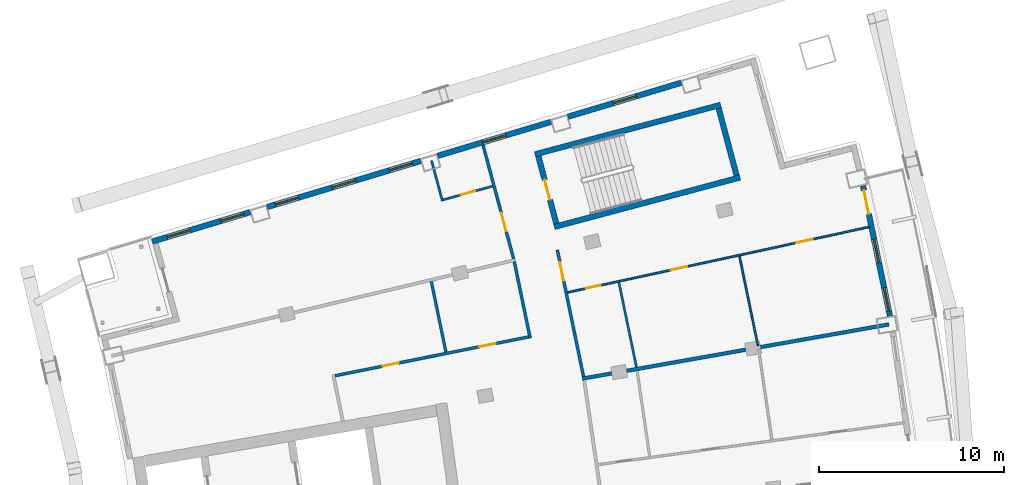
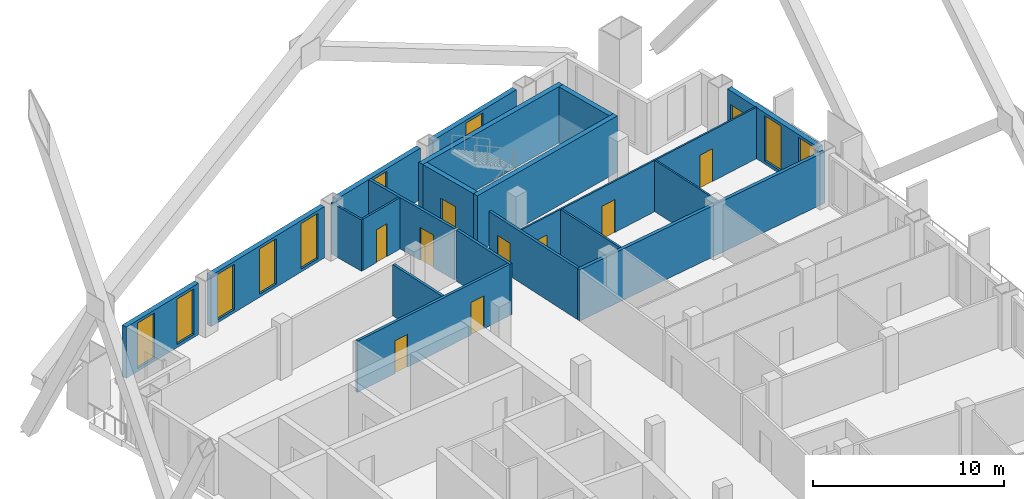
# One storey, part 15 of 20: 20 walls, 10 doors, 9 windows, 19 openings.
"""IFC4 building model written with IfcOpenShell, lengths in metres."""

from ifc_helpers import new_model, si_unit, direction, frame, frame_2d, origin, place, context, subcontext, project, spatial, rectangle, extrude, material, layer, layer_set, type_object, element, fill, save


model = new_model("IFC4")

# Units and contexts
model_context = context("Model", 3, precision=1e-05, world=origin(), true_north=direction((0.0, 1.0)))
body_context = subcontext(model_context, "Body", "Model", "MODEL_VIEW")
ifc_project = project(units=[si_unit("LENGTHUNIT", "METRE"), si_unit("AREAUNIT", "SQUARE_METRE"), si_unit("VOLUMEUNIT", "CUBIC_METRE"), si_unit("PLANEANGLEUNIT", "RADIAN"), si_unit("MASSUNIT", "GRAM", prefix="KILO")], contexts=[model_context])

# Site, building, storey
site_placement = place(None, origin())
site = spatial("IfcSite", under=ifc_project, at=site_placement, CompositionType="ELEMENT")
building_placement = place(site_placement, origin())
building = spatial("IfcBuilding", under=site, at=building_placement, Name="Alderwake Tower", CompositionType="ELEMENT")
storey_placement = place(building_placement, frame((0.0, 0.0, 210.800048828125)))
storey = spatial("IfcBuildingStorey", under=building, at=storey_placement, Name="L52", CompositionType="ELEMENT", Elevation=210.800048828125)

# Walls
ifc_material_1 = material(Name="Concrete C70/85", Category="concrete")
ifc_layer_1 = layer(ifc_material_1, 0.300048828125)
ifc_layer_set_1 = layer_set([ifc_layer_1], Name="Core wall stair enclosure 300 C70-85")
wall_type_1 = type_object("IfcWallType", Name="Core wall stair enclosure 300 C70-85", PredefinedType="SHEAR", material=ifc_layer_set_1)
for number, where, z_axis, x_axis, name in (
    (1, (36.71142578125, 94.182373046875, 0.0), (0.0, 0.0, 1.0), (0.966309214305, 0.257383958996, 0.0), "Core wall CW.082"),
    (2, (37.75390625, 90.268798828125, 0.0), (0.0, 0.0, 1.0), (0.966309214305, 0.257383958996, 0.0), "Core wall CW.084"),
):
    element("IfcWall", number, at=place(storey_placement, frame(where, z_axis=z_axis, x_axis=x_axis)), inside=storey, type_object=wall_type_1, Name=name, PredefinedType="SHEAR", context=body_context, shape_type="SweptSolid", body=[
        extrude(rectangle(XDim=10.360107421875, YDim=0.300048828125, at=frame_2d((5.18017578125, 0.0))), origin(), (0.0, 0.0, 1.0), 3.599853515625),
    ])

# Wall, opening, door
wall_1_placement = place(storey_placement, frame((37.8603515625, 90.452392578125, 0.0), z_axis=(0.0, 0.0, 1.0), x_axis=(-0.257411420208, 0.966301899381, 0.0)))
wall_1 = element("IfcWall", 3, at=wall_1_placement, inside=storey, type_object=wall_type_1, Name="Core wall CW.083", PredefinedType="SHEAR", context=body_context, shape_type="SweptSolid", body=[
    extrude(rectangle(XDim=3.750244140625, YDim=0.300048828125, at=frame_2d((1.875, 0.0))), origin(), (0.0, 0.0, 1.0), 3.599853515625),
])
opening_1_placement = place(wall_1_placement, frame((1.324951171875, 0.0, 0.0)))
opening_1 = element("IfcOpeningElement", 4, at=opening_1_placement, cuts=wall_1, Name="Opening C062", PredefinedType="OPENING", context=body_context, shape_type="SweptSolid", body=[
    extrude(rectangle(XDim=1.10009765625, YDim=2.10009765625, at=frame_2d((0.550048828125, 1.050048828125))), frame((0.0, 0.159912109375, 0.0), z_axis=(0.0, -1.0, 0.0), x_axis=(1.0, 0.0, 0.0)), (0.0, 0.0, 1.0), 0.320068359375),
])
ifc_material_2 = material(Name="Steel-framed fire door leaf", Category="steel")
door_type_1 = type_object("IfcDoorType", Name="Core stair door 1100 fire-rated", OperationType="SINGLE_SWING_LEFT", PredefinedType="DOOR", material=ifc_material_2)
door_1_placement = place(opening_1_placement, origin())
door_1 = element("IfcDoor", 5, at=door_1_placement, inside=storey, type_object=door_type_1, Name="Stair door", OperationType="SINGLE_SWING_RIGHT", OverallHeight=2.10009765625, OverallWidth=1.10009765625, PredefinedType="DOOR", context=body_context, shape_type="SweptSolid", body=[
    extrude(rectangle(XDim=1.10009765625, YDim=2.10009765625, at=frame_2d((0.550048828125, 1.050048828125))), frame((0.0, 0.02490234375, 0.0), z_axis=(0.0, -1.0, 0.0), x_axis=(1.0, 0.0, 0.0)), (0.0, 0.0, 1.0), 0.050048828125),
])
fill(opening_1, door_1)

# Wall
wall_2_placement = place(storey_placement, frame((47.581298828125, 93.041748046875, 0.0), z_axis=(0.0, 0.0, 1.0), x_axis=(-0.257366821694, 0.966313778796, 0.0)))
element("IfcWall", 6, at=wall_2_placement, inside=storey, type_object=wall_type_1, Name="Core wall CW.081", PredefinedType="SHEAR", context=body_context, shape_type="SweptSolid", body=[
    extrude(rectangle(XDim=3.749755859375, YDim=0.300048828125, at=frame_2d((1.875, 0.0))), origin(), (0.0, 0.0, 1.0), 3.599853515625),
])

# Wall, opening, door
ifc_material_3 = material(Name="Gypsum board on metal studs, rated")
ifc_layer_2 = layer(ifc_material_3, 0.159912109375)
ifc_layer_set_2 = layer_set([ifc_layer_2], Name="Corridor wall 160")
wall_type_2 = type_object("IfcWallType", Name="Corridor wall 160", PredefinedType="PARTITIONING", material=ifc_layer_set_2)
wall_3_placement = place(storey_placement, frame((35.55908203125, 88.54736328125, 0.0), z_axis=(0.0, 0.0, 1.0), x_axis=(-0.259486497004, 0.965746735885, 0.0)))
wall_3 = element("IfcWall", 7, at=wall_3_placement, inside=storey, type_object=wall_type_2, Name="WL/L52/W13", PredefinedType="PARTITIONING", context=body_context, shape_type="SweptSolid", body=[
    extrude(rectangle(XDim=6.346923828125, YDim=0.159912109375, at=frame_2d((3.17333984375, 0.0))), origin(), (0.0, 0.0, 1.0), 3.280029296875),
])
opening_2_placement = place(wall_3_placement, frame((1.5380859375, 0.0, 0.0)))
opening_2 = element("IfcOpeningElement", 8, at=opening_2_placement, cuts=wall_3, Name="Opening R15-U09.1", PredefinedType="OPENING", context=body_context, shape_type="SweptSolid", body=[
    extrude(rectangle(XDim=1.0, YDim=2.10009765625, at=frame_2d((0.5, 1.050048828125))), frame((0.0, 0.08984375, 0.0), z_axis=(0.0, -1.0, 0.0), x_axis=(1.0, 0.0, 0.0)), (0.0, 0.0, 1.0), 0.179931640625),
])
ifc_material_4 = material(Name="Solid timber leaf in steel frame", Category="steel")
door_type_2 = type_object("IfcDoorType", Name="Flat entrance door 1000 fire-rated", OperationType="SINGLE_SWING_LEFT", PredefinedType="DOOR", material=ifc_material_4)
door_2_placement = place(opening_2_placement, origin())
door_2 = element("IfcDoor", 9, at=door_2_placement, inside=storey, type_object=door_type_2, Name="DR/L52/U09.1", OperationType="SINGLE_SWING_LEFT", OverallHeight=2.10009765625, OverallWidth=1.0, PredefinedType="DOOR", context=body_context, shape_type="SweptSolid", body=[
    extrude(rectangle(XDim=1.0, YDim=2.10009765625, at=frame_2d((0.5, 1.050048828125))), frame((0.0, 0.02490234375, 0.0), z_axis=(0.0, -1.0, 0.0), x_axis=(1.0, 0.0, 0.0)), (0.0, 0.0, 1.0), 0.050048828125),
])
fill(opening_2, door_2)

# Wall
wall_4_placement = place(storey_placement, frame((35.59619140625, 88.3916015625, 0.0), z_axis=(0.0, 0.0, 1.0), x_axis=(0.20329833965, -0.979116839348, 0.0)))
element("IfcWall", 10, at=wall_4_placement, inside=storey, type_object=wall_type_2, Name="WL/L52/W15", PredefinedType="PARTITIONING", context=body_context, shape_type="SweptSolid", body=[
    extrude(rectangle(XDim=4.206787109375, YDim=0.159912109375, at=frame_2d((2.103515625, 0.0))), origin(), (0.0, 0.0, 1.0), 3.280029296875),
])

# Wall, openings, doors
wall_5_placement = place(storey_placement, frame((25.926513671875, 82.24267578125, 0.0), z_axis=(0.0, 0.0, 1.0), x_axis=(0.98046310274, 0.196703086316, 0.0)))
wall_5 = element("IfcWall", 11, at=wall_5_placement, inside=storey, type_object=wall_type_2, Name="WL/L52/W17", PredefinedType="PARTITIONING", context=body_context, shape_type="SweptSolid", body=[
    extrude(rectangle(XDim=10.637939453125, YDim=0.159912109375, at=frame_2d((5.31884765625, 0.0))), origin(), (0.0, 0.0, 1.0), 3.280029296875),
])
opening_3_placement = place(wall_5_placement, frame((2.609130859375, 0.0, 0.0)))
opening_3 = element("IfcOpeningElement", 12, at=opening_3_placement, cuts=wall_5, Name="Opening R15-SBN1", PredefinedType="OPENING", context=body_context, shape_type="SweptSolid", body=[
    extrude(rectangle(XDim=0.89990234375, YDim=2.10009765625, at=frame_2d((0.449951171875, 1.050048828125))), frame((0.0, 0.08984375, 0.0), z_axis=(0.0, -1.0, 0.0), x_axis=(1.0, 0.0, 0.0)), (0.0, 0.0, 1.0), 0.179931640625),
])
opening_4_placement = place(wall_5_placement, frame((7.927978515625, 0.0, 0.0)))
opening_4 = element("IfcOpeningElement", 13, at=opening_4_placement, cuts=wall_5, Name="Opening R15-SBN2", PredefinedType="OPENING", context=body_context, shape_type="SweptSolid", body=[
    extrude(rectangle(XDim=0.89990234375, YDim=2.10009765625, at=frame_2d((0.449951171875, 1.050048828125))), frame((0.0, 0.08984375, 0.0), z_axis=(0.0, -1.0, 0.0), x_axis=(1.0, 0.0, 0.0)), (0.0, 0.0, 1.0), 0.179931640625),
])
ifc_material_5 = material(Name="Painted timber leaf", Category="wood")
door_type_3 = type_object("IfcDoorType", Name="Room door 900", OperationType="SINGLE_SWING_LEFT", PredefinedType="DOOR", material=ifc_material_5)
door_3_placement = place(opening_3_placement, origin())
door_3 = element("IfcDoor", 14, at=door_3_placement, inside=storey, type_object=door_type_3, Name="DR/L52/SBN1", OperationType="SINGLE_SWING_LEFT", OverallHeight=2.10009765625, OverallWidth=0.89990234375, PredefinedType="DOOR", context=body_context, shape_type="SweptSolid", body=[
    extrude(rectangle(XDim=0.89990234375, YDim=2.10009765625, at=frame_2d((0.449951171875, 1.050048828125))), frame((0.0, 0.02490234375, 0.0), z_axis=(0.0, -1.0, 0.0), x_axis=(1.0, 0.0, 0.0)), (0.0, 0.0, 1.0), 0.050048828125),
])
fill(opening_3, door_3)
door_4_placement = place(opening_4_placement, origin())
door_4 = element("IfcDoor", 15, at=door_4_placement, inside=storey, type_object=door_type_3, Name="DR/L52/SBN2", OperationType="SINGLE_SWING_LEFT", OverallHeight=2.10009765625, OverallWidth=0.89990234375, PredefinedType="DOOR", context=body_context, shape_type="SweptSolid", body=[
    extrude(rectangle(XDim=0.89990234375, YDim=2.10009765625, at=frame_2d((0.449951171875, 1.050048828125))), frame((0.0, 0.02490234375, 0.0), z_axis=(0.0, -1.0, 0.0), x_axis=(1.0, 0.0, 0.0)), (0.0, 0.0, 1.0), 0.050048828125),
])
fill(opening_4, door_4)

# Wall, opening, door
wall_6_placement = place(storey_placement, frame((37.9169921875, 89.02490234375, 0.0), z_axis=(0.0, 0.0, 1.0), x_axis=(0.202416809878, -0.97929946139, 0.0)))
wall_6 = element("IfcWall", 16, at=wall_6_placement, inside=storey, type_object=wall_type_2, Name="WL/L52/W20", PredefinedType="PARTITIONING", context=body_context, shape_type="SweptSolid", body=[
    extrude(rectangle(XDim=6.97021484375, YDim=0.159912109375, at=frame_2d((3.485107421875, 0.0))), origin(), (0.0, 0.0, 1.0), 3.280029296875),
])
opening_5_placement = place(wall_6_placement, frame((0.6787109375, 0.0, 0.0)))
opening_5 = element("IfcOpeningElement", 17, at=opening_5_placement, cuts=wall_6, Name="Opening R15-U07.2", PredefinedType="OPENING", context=body_context, shape_type="SweptSolid", body=[
    extrude(rectangle(XDim=1.0, YDim=2.10009765625, at=frame_2d((0.5, 1.050048828125))), frame((0.0, 0.08984375, 0.0), z_axis=(0.0, -1.0, 0.0), x_axis=(1.0, 0.0, 0.0)), (0.0, 0.0, 1.0), 0.179931640625),
])
door_5_placement = place(opening_5_placement, origin())
door_5 = element("IfcDoor", 18, at=door_5_placement, inside=storey, type_object=door_type_2, Name="DR/L52/U07.2", OperationType="SINGLE_SWING_LEFT", OverallHeight=2.10009765625, OverallWidth=1.0, PredefinedType="DOOR", context=body_context, shape_type="SweptSolid", body=[
    extrude(rectangle(XDim=1.0, YDim=2.10009765625, at=frame_2d((0.5, 1.050048828125))), frame((0.0, 0.02490234375, 0.0), z_axis=(0.0, -1.0, 0.0), x_axis=(1.0, 0.0, 0.0)), (0.0, 0.0, 1.0), 0.050048828125),
])
fill(opening_5, door_5)

# Wall, openings, door, windows
ifc_material_6 = material(Name="Precast concrete C50/60 spandrel panel", Category="concrete")
ifc_layer_3 = layer(ifc_material_6, 0.300048828125)
ifc_layer_set_3 = layer_set([ifc_layer_3], Name="External wall EW1 Precast concrete C50/60 spandrel")
wall_type_3 = type_object("IfcWallType", Name="External wall EW1 Precast concrete C50/60 spandrel", PredefinedType="SOLIDWALL", material=ifc_layer_set_3)
wall_7_placement = place(storey_placement, frame((55.8505859375, 85.4736328125, 0.0), z_axis=(0.0, 0.0, 1.0), x_axis=(-0.202724039507, 0.979235908148, 0.0)))
wall_7 = element("IfcWall", 19, at=wall_7_placement, inside=storey, type_object=wall_type_3, Name="External wall 19", PredefinedType="SOLIDWALL", context=body_context, shape_type="SweptSolid", body=[
    extrude(rectangle(XDim=7.1572265625, YDim=0.300048828125, at=frame_2d((3.57861328125, 0.0))), origin(), (0.0, 0.0, 1.0), 3.280029296875),
])
opening_6_placement = place(wall_7_placement, frame((0.24951171875, 0.0, 0.199951171875)))
opening_6 = element("IfcOpeningElement", 20, at=opening_6_placement, cuts=wall_7, Name="Opening W1", PredefinedType="OPENING", context=body_context, shape_type="SweptSolid", body=[
    extrude(rectangle(XDim=1.300048828125, YDim=2.89990234375, at=frame_2d((0.64990234375, 1.449951171875))), frame((0.0, 0.159912109375, 0.0), z_axis=(0.0, -1.0, 0.0), x_axis=(1.0, 0.0, 0.0)), (0.0, 0.0, 1.0), 0.320068359375),
])
opening_7_placement = place(wall_7_placement, frame((2.928466796875, 0.0, 0.199951171875)))
opening_7 = element("IfcOpeningElement", 21, at=opening_7_placement, cuts=wall_7, Name="Opening W1", PredefinedType="OPENING", context=body_context, shape_type="SweptSolid", body=[
    extrude(rectangle(XDim=1.300048828125, YDim=2.89990234375, at=frame_2d((0.64990234375, 1.449951171875))), frame((0.0, 0.159912109375, 0.0), z_axis=(0.0, -1.0, 0.0), x_axis=(1.0, 0.0, 0.0)), (0.0, 0.0, 1.0), 0.320068359375),
])
opening_8_placement = place(wall_7_placement, frame((5.607666015625, 0.0, 0.0)))
opening_8 = element("IfcOpeningElement", 22, at=opening_8_placement, cuts=wall_7, Name="Opening D08", PredefinedType="OPENING", context=body_context, shape_type="SweptSolid", body=[
    extrude(rectangle(XDim=1.300048828125, YDim=2.39990234375, at=frame_2d((0.64990234375, 1.199951171875))), frame((0.0, 0.159912109375, 0.0), z_axis=(0.0, -1.0, 0.0), x_axis=(1.0, 0.0, 0.0)), (0.0, 0.0, 1.0), 0.320068359375),
])
ifc_material_7 = material(Name="Bronze tinted glass in aluminium frame", Category="aluminium")
door_type_4 = type_object("IfcDoorType", Name="Balcony door BD sliding", OperationType="SLIDING_TO_LEFT", PredefinedType="DOOR", material=ifc_material_7)
door_6_placement = place(opening_8_placement, origin())
door_6 = element("IfcDoor", 23, at=door_6_placement, inside=storey, type_object=door_type_4, Name="Door D08", OperationType="SLIDING_TO_LEFT", OverallHeight=2.39990234375, OverallWidth=1.300048828125, PredefinedType="DOOR", context=body_context, shape_type="SweptSolid", body=[
    extrude(rectangle(XDim=1.300048828125, YDim=2.39990234375, at=frame_2d((0.64990234375, 1.199951171875))), frame((0.0, 0.02490234375, 0.0), z_axis=(0.0, -1.0, 0.0), x_axis=(1.0, 0.0, 0.0)), (0.0, 0.0, 1.0), 0.050048828125),
])
fill(opening_8, door_6)
ifc_material_8 = material(Name="Bronze tinted glass in aluminium frame", Category="aluminium")
window_type = type_object("IfcWindowType", Name="Window W1 tall fixed and vent", PartitioningType="DOUBLE_PANEL_VERTICAL", PredefinedType="WINDOW", material=ifc_material_8)
window_1_placement = place(opening_6_placement, origin())
window_1 = element("IfcWindow", 24, at=window_1_placement, inside=storey, type_object=window_type, Name="Window W1 tall fixed and vent", OverallHeight=2.89990234375, OverallWidth=1.300048828125, PartitioningType="DOUBLE_PANEL_VERTICAL", PredefinedType="WINDOW", context=body_context, shape_type="SweptSolid", body=[
    extrude(rectangle(XDim=1.300048828125, YDim=2.89990234375, at=frame_2d((0.64990234375, 1.449951171875))), frame((0.0, 0.030029296875, 0.0), z_axis=(0.0, -1.0, 0.0), x_axis=(1.0, 0.0, 0.0)), (0.0, 0.0, 1.0), 0.06005859375),
])
fill(opening_6, window_1)
window_2_placement = place(opening_7_placement, origin())
window_2 = element("IfcWindow", 25, at=window_2_placement, inside=storey, type_object=window_type, Name="Window W1 tall fixed and vent", OverallHeight=2.89990234375, OverallWidth=1.300048828125, PartitioningType="DOUBLE_PANEL_VERTICAL", PredefinedType="WINDOW", context=body_context, shape_type="SweptSolid", body=[
    extrude(rectangle(XDim=1.300048828125, YDim=2.89990234375, at=frame_2d((0.64990234375, 1.449951171875))), frame((0.0, 0.030029296875, 0.0), z_axis=(0.0, -1.0, 0.0), x_axis=(1.0, 0.0, 0.0)), (0.0, 0.0, 1.0), 0.06005859375),
])
fill(opening_7, window_2)

# Wall, opening, window
ifc_material_9 = material(Name="Bronze metal cladding on lightweight framing")
ifc_layer_4 = layer(ifc_material_9, 0.300048828125)
ifc_layer_set_4 = layer_set([ifc_layer_4], Name="External wall EW2 bronze metal cladding")
wall_type_4 = type_object("IfcWallType", Name="External wall EW2 bronze metal cladding", PredefinedType="SOLIDWALL", material=ifc_layer_set_4)
wall_8_placement = place(storey_placement, frame((44.599365234375, 98.042724609375, 0.0), z_axis=(0.0, 0.0, 1.0), x_axis=(-0.957770447312, -0.287533946266, 0.0)))
wall_8 = element("IfcWall", 26, at=wall_8_placement, inside=storey, type_object=wall_type_4, Name="External wall 24", PredefinedType="SOLIDWALL", context=body_context, shape_type="SweptSolid", body=[
    extrude(rectangle(XDim=6.380126953125, YDim=0.300048828125, at=frame_2d((3.18994140625, 0.0))), origin(), (0.0, 0.0, 1.0), 3.280029296875),
])
opening_9_placement = place(wall_8_placement, frame((2.5400390625, 0.0, 0.199951171875)))
opening_9 = element("IfcOpeningElement", 27, at=opening_9_placement, cuts=wall_8, Name="Opening W1", PredefinedType="OPENING", context=body_context, shape_type="SweptSolid", body=[
    extrude(rectangle(XDim=1.300048828125, YDim=2.89990234375, at=frame_2d((0.64990234375, 1.449951171875))), frame((0.0, 0.159912109375, 0.0), z_axis=(0.0, -1.0, 0.0), x_axis=(1.0, 0.0, 0.0)), (0.0, 0.0, 1.0), 0.320068359375),
])
window_3_placement = place(opening_9_placement, origin())
window_3 = element("IfcWindow", 28, at=window_3_placement, inside=storey, type_object=window_type, Name="Window W1 tall fixed and vent", OverallHeight=2.89990234375, OverallWidth=1.300048828125, PartitioningType="DOUBLE_PANEL_VERTICAL", PredefinedType="WINDOW", context=body_context, shape_type="SweptSolid", body=[
    extrude(rectangle(XDim=1.300048828125, YDim=2.89990234375, at=frame_2d((0.64990234375, 1.449951171875))), frame((0.0, 0.030029296875, 0.0), z_axis=(0.0, -1.0, 0.0), x_axis=(1.0, 0.0, 0.0)), (0.0, 0.0, 1.0), 0.06005859375),
])
fill(opening_9, window_3)

wall_9_placement = place(storey_placement, frame((37.575439453125, 95.93408203125, 0.0), z_axis=(0.0, 0.0, 1.0), x_axis=(-0.957767283432, -0.287544484885, 0.0)))
wall_9 = element("IfcWall", 29, at=wall_9_placement, inside=storey, type_object=wall_type_4, Name="External wall 25", PredefinedType="SOLIDWALL", context=body_context, shape_type="SweptSolid", body=[
    extrude(rectangle(XDim=6.3798828125, YDim=0.300048828125, at=frame_2d((3.18994140625, 0.0))), origin(), (0.0, 0.0, 1.0), 3.280029296875),
])
opening_10_placement = place(wall_9_placement, frame((2.539794921875, 0.0, 0.199951171875)))
opening_10 = element("IfcOpeningElement", 30, at=opening_10_placement, cuts=wall_9, Name="Opening W1", PredefinedType="OPENING", context=body_context, shape_type="SweptSolid", body=[
    extrude(rectangle(XDim=1.300048828125, YDim=2.89990234375, at=frame_2d((0.64990234375, 1.449951171875))), frame((0.0, 0.159912109375, 0.0), z_axis=(0.0, -1.0, 0.0), x_axis=(1.0, 0.0, 0.0)), (0.0, 0.0, 1.0), 0.320068359375),
])
window_4_placement = place(opening_10_placement, origin())
window_4 = element("IfcWindow", 31, at=window_4_placement, inside=storey, type_object=window_type, Name="Window W1 tall fixed and vent", OverallHeight=2.89990234375, OverallWidth=1.300048828125, PartitioningType="DOUBLE_PANEL_VERTICAL", PredefinedType="WINDOW", context=body_context, shape_type="SweptSolid", body=[
    extrude(rectangle(XDim=1.300048828125, YDim=2.89990234375, at=frame_2d((0.64990234375, 1.449951171875))), frame((0.0, 0.030029296875, 0.0), z_axis=(0.0, -1.0, 0.0), x_axis=(1.0, 0.0, 0.0)), (0.0, 0.0, 1.0), 0.06005859375),
])
fill(opening_10, window_4)

# Wall, openings, windows
wall_10_placement = place(storey_placement, frame((30.551513671875, 93.8251953125, 0.0), z_axis=(0.0, 0.0, 1.0), x_axis=(-0.957767198916, -0.287544766394, 0.0)))
wall_10 = element("IfcWall", 32, at=wall_10_placement, inside=storey, type_object=wall_type_4, Name="External wall 26", PredefinedType="SOLIDWALL", context=body_context, shape_type="SweptSolid", body=[
    extrude(rectangle(XDim=8.64599609375, YDim=0.300048828125, at=frame_2d((4.322998046875, 0.0))), origin(), (0.0, 0.0, 1.0), 3.280029296875),
])
opening_11_placement = place(wall_10_placement, frame((0.47314453125, 0.0, 0.199951171875)))
opening_11 = element("IfcOpeningElement", 33, at=opening_11_placement, cuts=wall_10, Name="Opening W1", PredefinedType="OPENING", context=body_context, shape_type="SweptSolid", body=[
    extrude(rectangle(XDim=1.300048828125, YDim=2.89990234375, at=frame_2d((0.64990234375, 1.449951171875))), frame((0.0, 0.159912109375, 0.0), z_axis=(0.0, -1.0, 0.0), x_axis=(1.0, 0.0, 0.0)), (0.0, 0.0, 1.0), 0.320068359375),
])
opening_12_placement = place(wall_10_placement, frame((3.673095703125, 0.0, 0.199951171875)))
opening_12 = element("IfcOpeningElement", 34, at=opening_12_placement, cuts=wall_10, Name="Opening W1", PredefinedType="OPENING", context=body_context, shape_type="SweptSolid", body=[
    extrude(rectangle(XDim=1.300048828125, YDim=2.89990234375, at=frame_2d((0.64990234375, 1.449951171875))), frame((0.0, 0.159912109375, 0.0), z_axis=(0.0, -1.0, 0.0), x_axis=(1.0, 0.0, 0.0)), (0.0, 0.0, 1.0), 0.320068359375),
])
opening_13_placement = place(wall_10_placement, frame((6.873291015625, 0.0, 0.199951171875)))
opening_13 = element("IfcOpeningElement", 35, at=opening_13_placement, cuts=wall_10, Name="Opening W1", PredefinedType="OPENING", context=body_context, shape_type="SweptSolid", body=[
    extrude(rectangle(XDim=1.300048828125, YDim=2.89990234375, at=frame_2d((0.64990234375, 1.449951171875))), frame((0.0, 0.159912109375, 0.0), z_axis=(0.0, -1.0, 0.0), x_axis=(1.0, 0.0, 0.0)), (0.0, 0.0, 1.0), 0.320068359375),
])
window_5_placement = place(opening_11_placement, origin())
window_5 = element("IfcWindow", 36, at=window_5_placement, inside=storey, type_object=window_type, Name="Window W1 tall fixed and vent", OverallHeight=2.89990234375, OverallWidth=1.300048828125, PartitioningType="DOUBLE_PANEL_VERTICAL", PredefinedType="WINDOW", context=body_context, shape_type="SweptSolid", body=[
    extrude(rectangle(XDim=1.300048828125, YDim=2.89990234375, at=frame_2d((0.64990234375, 1.449951171875))), frame((0.0, 0.030029296875, 0.0), z_axis=(0.0, -1.0, 0.0), x_axis=(1.0, 0.0, 0.0)), (0.0, 0.0, 1.0), 0.06005859375),
])
fill(opening_11, window_5)
window_6_placement = place(opening_12_placement, origin())
window_6 = element("IfcWindow", 37, at=window_6_placement, inside=storey, type_object=window_type, Name="Window W1 tall fixed and vent", OverallHeight=2.89990234375, OverallWidth=1.300048828125, PartitioningType="DOUBLE_PANEL_VERTICAL", PredefinedType="WINDOW", context=body_context, shape_type="SweptSolid", body=[
    extrude(rectangle(XDim=1.300048828125, YDim=2.89990234375, at=frame_2d((0.64990234375, 1.449951171875))), frame((0.0, 0.030029296875, 0.0), z_axis=(0.0, -1.0, 0.0), x_axis=(1.0, 0.0, 0.0)), (0.0, 0.0, 1.0), 0.06005859375),
])
fill(opening_12, window_6)
window_7_placement = place(opening_13_placement, origin())
window_7 = element("IfcWindow", 38, at=window_7_placement, inside=storey, type_object=window_type, Name="Window W1 tall fixed and vent", OverallHeight=2.89990234375, OverallWidth=1.300048828125, PartitioningType="DOUBLE_PANEL_VERTICAL", PredefinedType="WINDOW", context=body_context, shape_type="SweptSolid", body=[
    extrude(rectangle(XDim=1.300048828125, YDim=2.89990234375, at=frame_2d((0.64990234375, 1.449951171875))), frame((0.0, 0.030029296875, 0.0), z_axis=(0.0, -1.0, 0.0), x_axis=(1.0, 0.0, 0.0)), (0.0, 0.0, 1.0), 0.06005859375),
])
fill(opening_13, window_7)

wall_11_placement = place(storey_placement, frame((21.356689453125, 91.064697265625, 0.0), z_axis=(0.0, 0.0, 1.0), x_axis=(-0.957772749247, -0.287526278451, 0.0)))
wall_11 = element("IfcWall", 39, at=wall_11_placement, inside=storey, type_object=wall_type_4, Name="External wall 27", PredefinedType="SOLIDWALL", context=body_context, shape_type="SweptSolid", body=[
    extrude(rectangle(XDim=5.524169921875, YDim=0.300048828125, at=frame_2d((2.76220703125, 0.0))), origin(), (0.0, 0.0, 1.0), 3.280029296875),
])
opening_14_placement = place(wall_11_placement, frame((0.373291015625, 0.0, 0.199951171875)))
opening_14 = element("IfcOpeningElement", 40, at=opening_14_placement, cuts=wall_11, Name="Opening W1", PredefinedType="OPENING", context=body_context, shape_type="SweptSolid", body=[
    extrude(rectangle(XDim=1.300048828125, YDim=2.89990234375, at=frame_2d((0.64990234375, 1.449951171875))), frame((0.0, 0.159912109375, 0.0), z_axis=(0.0, -1.0, 0.0), x_axis=(1.0, 0.0, 0.0)), (0.0, 0.0, 1.0), 0.320068359375),
])
opening_15_placement = place(wall_11_placement, frame((3.3740234375, 0.0, 0.199951171875)))
opening_15 = element("IfcOpeningElement", 41, at=opening_15_placement, cuts=wall_11, Name="Opening W1", PredefinedType="OPENING", context=body_context, shape_type="SweptSolid", body=[
    extrude(rectangle(XDim=1.300048828125, YDim=2.89990234375, at=frame_2d((0.64990234375, 1.449951171875))), frame((0.0, 0.159912109375, 0.0), z_axis=(0.0, -1.0, 0.0), x_axis=(1.0, 0.0, 0.0)), (0.0, 0.0, 1.0), 0.320068359375),
])
window_8_placement = place(opening_14_placement, origin())
window_8 = element("IfcWindow", 42, at=window_8_placement, inside=storey, type_object=window_type, Name="Window W1 tall fixed and vent", OverallHeight=2.89990234375, OverallWidth=1.300048828125, PartitioningType="DOUBLE_PANEL_VERTICAL", PredefinedType="WINDOW", context=body_context, shape_type="SweptSolid", body=[
    extrude(rectangle(XDim=1.300048828125, YDim=2.89990234375, at=frame_2d((0.64990234375, 1.449951171875))), frame((0.0, 0.030029296875, 0.0), z_axis=(0.0, -1.0, 0.0), x_axis=(1.0, 0.0, 0.0)), (0.0, 0.0, 1.0), 0.06005859375),
])
fill(opening_14, window_8)
window_9_placement = place(opening_15_placement, origin())
window_9 = element("IfcWindow", 43, at=window_9_placement, inside=storey, type_object=window_type, Name="Window W1 tall fixed and vent", OverallHeight=2.89990234375, OverallWidth=1.300048828125, PartitioningType="DOUBLE_PANEL_VERTICAL", PredefinedType="WINDOW", context=body_context, shape_type="SweptSolid", body=[
    extrude(rectangle(XDim=1.300048828125, YDim=2.89990234375, at=frame_2d((0.64990234375, 1.449951171875))), frame((0.0, 0.030029296875, 0.0), z_axis=(0.0, -1.0, 0.0), x_axis=(1.0, 0.0, 0.0)), (0.0, 0.0, 1.0), 0.06005859375),
])
fill(opening_15, window_9)

# Walls
ifc_material_10 = material(Name="Dense block masonry wall", Category="masonry")
ifc_layer_5 = layer(ifc_material_10, 0.199951171875)
ifc_layer_set_5 = layer_set([ifc_layer_5], Name="Party wall 200")
wall_type_5 = type_object("IfcWallType", Name="Party wall 200", PredefinedType="SOLIDWALL", material=ifc_layer_set_5)
wall_12_placement = place(storey_placement, frame((55.7939453125, 85.010986328125, 0.0), z_axis=(0.0, 0.0, 1.0), x_axis=(-0.984704809024, -0.174230993468, 0.0)))
element("IfcWall", 44, at=wall_12_placement, inside=storey, type_object=wall_type_5, Name="WL/L52/W02", PredefinedType="SOLIDWALL", context=body_context, shape_type="SweptSolid", body=[
    extrude(rectangle(XDim=16.78125, YDim=0.199951171875, at=frame_2d((8.390625, 0.0))), origin(), (0.0, 0.0, 1.0), 3.280029296875),
])
ifc_material_11 = material(Name="Gypsum shaft wall system, rated")
ifc_layer_6 = layer(ifc_material_11, 0.14990234375)
ifc_layer_set_6 = layer_set([ifc_layer_6], Name="Riser and shaft wall 150")
wall_type_6 = type_object("IfcWallType", Name="Riser and shaft wall 150", PredefinedType="PARTITIONING", material=ifc_layer_set_6)
wall_13_placement = place(storey_placement, frame((31.90966796875, 83.523193359375, 0.0), z_axis=(0.0, 0.0, 1.0), x_axis=(-0.203193719272, 0.979138556308, 0.0)))
element("IfcWall", 45, at=wall_13_placement, inside=storey, type_object=wall_type_6, Name="WL/L52/W05", PredefinedType="PARTITIONING", context=body_context, shape_type="SweptSolid", body=[
    extrude(rectangle(XDim=3.884521484375, YDim=0.14990234375, at=frame_2d((1.9423828125, 0.0))), origin(), (0.0, 0.0, 1.0), 3.280029296875),
])

# Wall, openings, doors
ifc_material_12 = material(Name="Gypsum board on metal studs")
ifc_layer_7 = layer(ifc_material_12, 0.10009765625)
ifc_layer_set_7 = layer_set([ifc_layer_7], Name="Unit partition 100")
wall_type_7 = type_object("IfcWallType", Name="Unit partition 100", PredefinedType="PARTITIONING", material=ifc_layer_set_7)
wall_14_placement = place(storey_placement, frame((54.7529296875, 90.27001953125, 0.0), z_axis=(0.0, 0.0, 1.0), x_axis=(-0.977230954278, -0.212178373077, 0.0)))
wall_14 = element("IfcWall", 46, at=wall_14_placement, inside=storey, type_object=wall_type_7, Name="WL/L52/W40", PredefinedType="PARTITIONING", context=body_context, shape_type="SweptSolid", body=[
    extrude(rectangle(XDim=16.66015625, YDim=0.10009765625, at=frame_2d((8.330078125, 0.0))), origin(), (0.0, 0.0, 1.0), 3.280029296875),
])
opening_16_placement = place(wall_14_placement, frame((10.066162109375, 0.0, 0.0)))
opening_16 = element("IfcOpeningElement", 47, at=opening_16_placement, cuts=wall_14, Name="Opening R15-U07.1", PredefinedType="OPENING", context=body_context, shape_type="SweptSolid", body=[
    extrude(rectangle(XDim=0.89990234375, YDim=2.10009765625, at=frame_2d((0.449951171875, 1.050048828125))), frame((0.0, 0.06005859375, 0.0), z_axis=(0.0, -1.0, 0.0), x_axis=(1.0, 0.0, 0.0)), (0.0, 0.0, 1.0), 0.1201171875),
])
opening_17_placement = place(wall_14_placement, frame((14.851318359375, 0.0, 0.0)))
opening_17 = element("IfcOpeningElement", 48, at=opening_17_placement, cuts=wall_14, Name="Opening R15-U07.3", PredefinedType="OPENING", context=body_context, shape_type="SweptSolid", body=[
    extrude(rectangle(XDim=0.800048828125, YDim=2.10009765625, at=frame_2d((0.39990234375, 1.050048828125))), frame((0.0, 0.06005859375, 0.0), z_axis=(0.0, -1.0, 0.0), x_axis=(1.0, 0.0, 0.0)), (0.0, 0.0, 1.0), 0.1201171875),
])
opening_18_placement = place(wall_14_placement, frame((3.145263671875, 0.0, 0.0)))
opening_18 = element("IfcOpeningElement", 49, at=opening_18_placement, cuts=wall_14, Name="Opening R15-U07.4", PredefinedType="OPENING", context=body_context, shape_type="SweptSolid", body=[
    extrude(rectangle(XDim=0.89990234375, YDim=2.10009765625, at=frame_2d((0.449951171875, 1.050048828125))), frame((0.0, 0.06005859375, 0.0), z_axis=(0.0, -1.0, 0.0), x_axis=(1.0, 0.0, 0.0)), (0.0, 0.0, 1.0), 0.1201171875),
])
ifc_material_13 = material(Name="Painted timber leaf", Category="wood")
door_type_5 = type_object("IfcDoorType", Name="Bathroom door 800", OperationType="SINGLE_SWING_LEFT", PredefinedType="DOOR", material=ifc_material_13)
door_7_placement = place(opening_17_placement, origin())
door_7 = element("IfcDoor", 50, at=door_7_placement, inside=storey, type_object=door_type_5, Name="DR/L52/U07.3", OperationType="SINGLE_SWING_LEFT", OverallHeight=2.10009765625, OverallWidth=0.800048828125, PredefinedType="DOOR", context=body_context, shape_type="SweptSolid", body=[
    extrude(rectangle(XDim=0.800048828125, YDim=2.10009765625, at=frame_2d((0.39990234375, 1.050048828125))), frame((0.0, 0.02490234375, 0.0), z_axis=(0.0, -1.0, 0.0), x_axis=(1.0, 0.0, 0.0)), (0.0, 0.0, 1.0), 0.050048828125),
])
fill(opening_17, door_7)
door_8_placement = place(opening_16_placement, origin())
door_8 = element("IfcDoor", 51, at=door_8_placement, inside=storey, type_object=door_type_3, Name="DR/L52/U07.1", OperationType="SINGLE_SWING_LEFT", OverallHeight=2.10009765625, OverallWidth=0.89990234375, PredefinedType="DOOR", context=body_context, shape_type="SweptSolid", body=[
    extrude(rectangle(XDim=0.89990234375, YDim=2.10009765625, at=frame_2d((0.449951171875, 1.050048828125))), frame((0.0, 0.02490234375, 0.0), z_axis=(0.0, -1.0, 0.0), x_axis=(1.0, 0.0, 0.0)), (0.0, 0.0, 1.0), 0.050048828125),
])
fill(opening_16, door_8)
door_9_placement = place(opening_18_placement, origin())
door_9 = element("IfcDoor", 52, at=door_9_placement, inside=storey, type_object=door_type_3, Name="DR/L52/U07.4", OperationType="SINGLE_SWING_LEFT", OverallHeight=2.10009765625, OverallWidth=0.89990234375, PredefinedType="DOOR", context=body_context, shape_type="SweptSolid", body=[
    extrude(rectangle(XDim=0.89990234375, YDim=2.10009765625, at=frame_2d((0.449951171875, 1.050048828125))), frame((0.0, 0.02490234375, 0.0), z_axis=(0.0, -1.0, 0.0), x_axis=(1.0, 0.0, 0.0)), (0.0, 0.0, 1.0), 0.050048828125),
])
fill(opening_18, door_9)

# Walls
wall_15_placement = place(storey_placement, frame((48.735595703125, 83.864013671875, 0.0), z_axis=(0.0, 0.0, 1.0), x_axis=(-0.202451741982, 0.979292240431, 0.0)))
element("IfcWall", 53, at=wall_15_placement, inside=storey, type_object=wall_type_7, Name="WL/L52/W50", PredefinedType="PARTITIONING", context=body_context, shape_type="SweptSolid", body=[
    extrude(rectangle(XDim=4.93212890625, YDim=0.10009765625, at=frame_2d((2.466064453125, 0.0))), origin(), (0.0, 0.0, 1.0), 3.280029296875),
])
ifc_material_14 = material(Name="Moisture resistant gypsum board on metal studs")
ifc_layer_8 = layer(ifc_material_14, 0.1201171875)
ifc_layer_set_8 = layer_set([ifc_layer_8], Name="Wet room partition 120")
wall_type_8 = type_object("IfcWallType", Name="Wet room partition 120", PredefinedType="PARTITIONING", material=ifc_layer_set_8)
wall_16_placement = place(storey_placement, frame((31.134033203125, 93.843017578125, 0.0), z_axis=(0.0, 0.0, 1.0), x_axis=(0.260139854323, -0.965570948296, 0.0)))
element("IfcWall", 54, at=wall_16_placement, inside=storey, type_object=wall_type_8, Name="WL/L52/W28", PredefinedType="PARTITIONING", context=body_context, shape_type="SweptSolid", body=[
    extrude(rectangle(XDim=2.2626953125, YDim=0.1201171875, at=frame_2d((1.13134765625, 0.0))), origin(), (0.0, 0.0, 1.0), 3.280029296875),
])

# Wall, opening, door
wall_17_placement = place(storey_placement, frame((31.764892578125, 91.73193359375, 0.0), z_axis=(0.0, 0.0, 1.0), x_axis=(0.964278304966, 0.264891205163, 0.0)))
wall_17 = element("IfcWall", 55, at=wall_17_placement, inside=storey, type_object=wall_type_8, Name="WL/L52/W30", PredefinedType="PARTITIONING", context=body_context, shape_type="SweptSolid", body=[
    extrude(rectangle(XDim=2.759521484375, YDim=0.1201171875, at=frame_2d((1.3798828125, 0.0))), origin(), (0.0, 0.0, 1.0), 3.280029296875),
])
opening_19_placement = place(wall_17_placement, frame((0.979736328125, 0.0, 0.0)))
opening_19 = element("IfcOpeningElement", 56, at=opening_19_placement, cuts=wall_17, Name="Opening R15-U09.2", PredefinedType="OPENING", context=body_context, shape_type="SweptSolid", body=[
    extrude(rectangle(XDim=0.800048828125, YDim=2.10009765625, at=frame_2d((0.39990234375, 1.050048828125))), frame((0.0, 0.070068359375, 0.0), z_axis=(0.0, -1.0, 0.0), x_axis=(1.0, 0.0, 0.0)), (0.0, 0.0, 1.0), 0.14013671875),
])
door_10_placement = place(opening_19_placement, origin())
door_10 = element("IfcDoor", 57, at=door_10_placement, inside=storey, type_object=door_type_5, Name="DR/L52/U09.2", OperationType="SINGLE_SWING_LEFT", OverallHeight=2.10009765625, OverallWidth=0.800048828125, PredefinedType="DOOR", context=body_context, shape_type="SweptSolid", body=[
    extrude(rectangle(XDim=0.800048828125, YDim=2.10009765625, at=frame_2d((0.39990234375, 1.050048828125))), frame((0.0, 0.02490234375, 0.0), z_axis=(0.0, -1.0, 0.0), x_axis=(1.0, 0.0, 0.0)), (0.0, 0.0, 1.0), 0.050048828125),
])
fill(opening_19, door_10)

# Wall
wall_18_placement = place(storey_placement, frame((42.18359375, 82.7060546875, 0.0), z_axis=(0.0, 0.0, 1.0), x_axis=(-0.20267985984, 0.979245053301, 0.0)))
element("IfcWall", 58, at=wall_18_placement, inside=storey, type_object=wall_type_8, Name="WL/L52/W34", PredefinedType="PARTITIONING", context=body_context, shape_type="SweptSolid", body=[
    extrude(rectangle(XDim=4.6748046875, YDim=0.1201171875, at=frame_2d((2.33740234375, 0.0))), origin(), (0.0, 0.0, 1.0), 3.280029296875),
])

save(model, "model.ifc")
